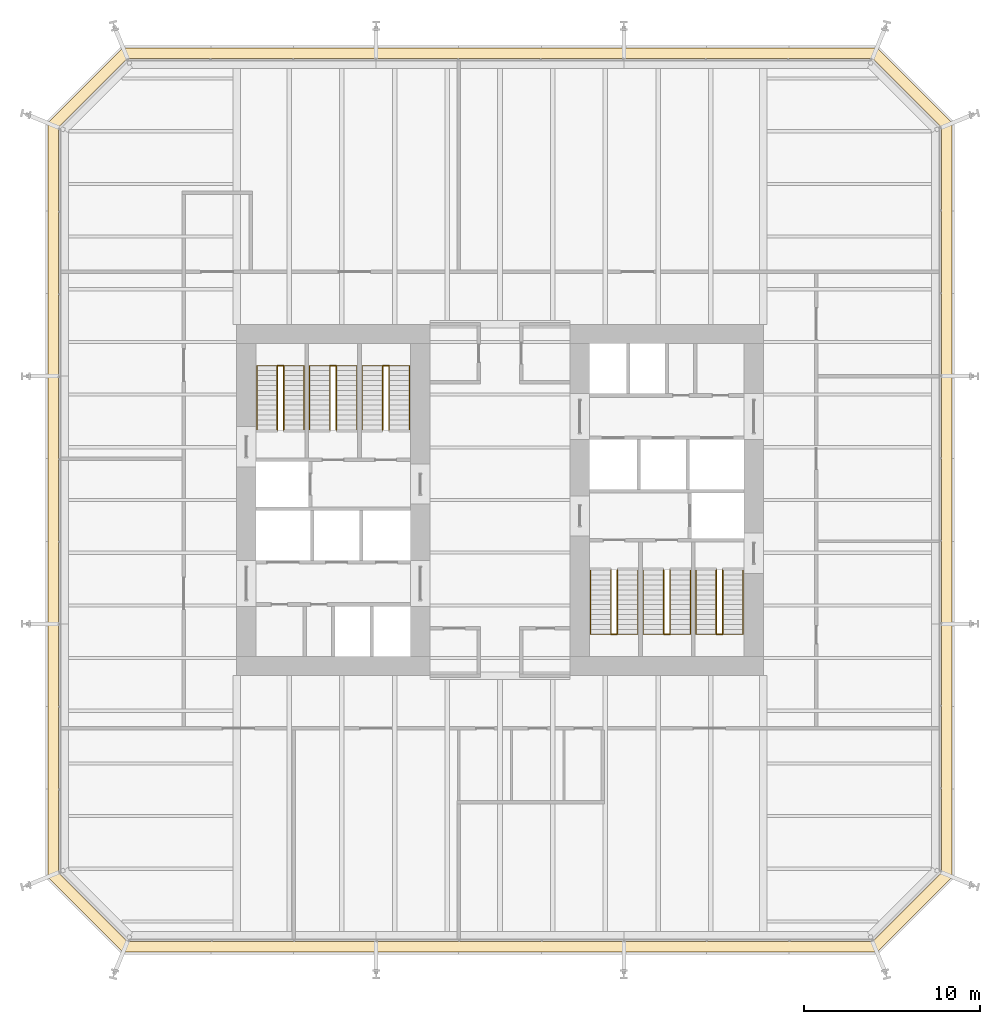
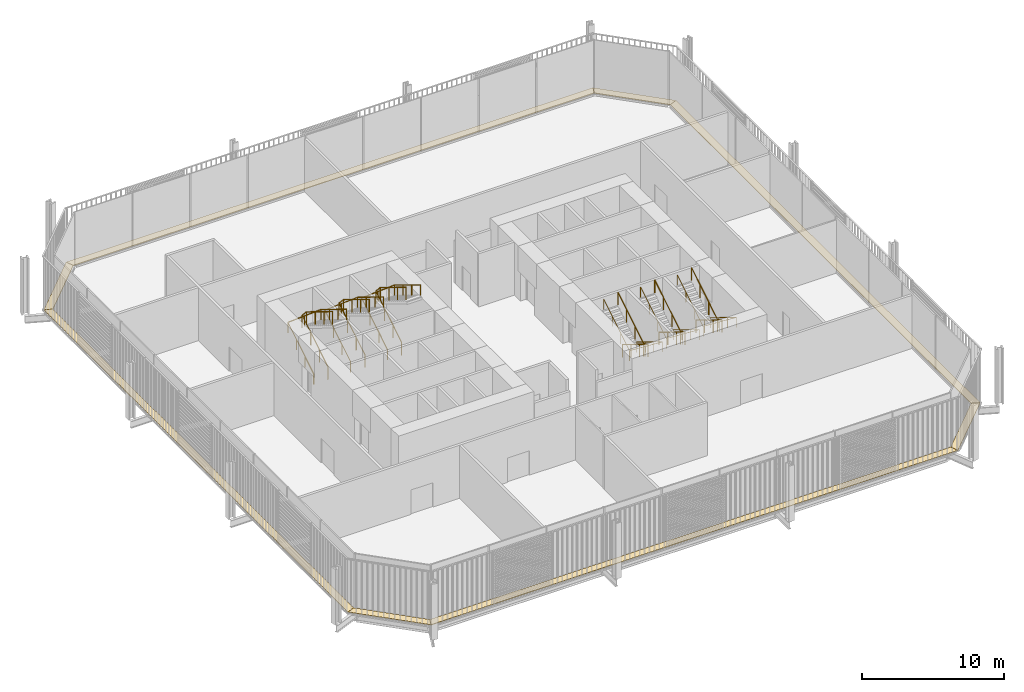
# One storey, part 22 of 22: 12 railings, 8 coverings.
"""IFC4 building model written with IfcOpenShell, lengths in metres."""

from ifc_helpers import new_model, si_unit, direction, frame, origin, origin_2d, place, context, subcontext, project, spatial, polyline, circle, outline, extrude, material, layer, layer_set, type_object, element, save


model = new_model("IFC4")

# Units and contexts
model_context = context("Model", 3, precision=1e-05, world=origin(), true_north=direction((0.0, 1.0)))
body_context = subcontext(model_context, "Body", "Model", "MODEL_VIEW")
ifc_project = project(units=[si_unit("LENGTHUNIT", "METRE"), si_unit("AREAUNIT", "SQUARE_METRE"), si_unit("VOLUMEUNIT", "CUBIC_METRE"), si_unit("PLANEANGLEUNIT", "RADIAN"), si_unit("MASSUNIT", "GRAM", prefix="KILO")], contexts=[model_context])

# Site, building, storey
site_placement = place(None, origin())
site = spatial("IfcSite", under=ifc_project, at=site_placement, CompositionType="ELEMENT")
building_placement = place(site_placement, origin())
building = spatial("IfcBuilding", under=site, at=building_placement, Name="Millrace Tower", CompositionType="ELEMENT")
storey_placement = place(building_placement, frame((0.0, 0.0, 25.699951171875)))
storey = spatial("IfcBuildingStorey", under=building, at=storey_placement, Name="L06", CompositionType="ELEMENT", Elevation=25.699951171875)

# Coverings
ifc_material_1 = material(Name="Steel ASTM A36", Category="steel")
ifc_layer = layer(ifc_material_1, 0.050048828125)
ifc_layer_set = layer_set([ifc_layer], Name="Steel ASTM A36")
covering_type = type_object("IfcCoveringType", Name="CAVITY CATWALK steel grating", PredefinedType="FLOORING", material=ifc_layer_set)
placement = place(storey_placement, frame((0.0, 0.0, 0.10009765625)))
element("IfcCovering", 1, at=placement, inside=storey, type_object=covering_type, Name="Cavity catwalk grating A-F01 L06 1", PredefinedType="FLOORING", context=body_context, shape_type="SweptSolid", body=[
    extrude(outline(polyline([(-25.75, -21.460693359375), (-21.460693359375, -25.75), (-21.212158203125, -25.14990234375), (-25.14990234375, -21.212158203125), (-25.75, -21.460693359375)])), origin(), (0.0, 0.0, 1.0), 0.050048828125),
])
element("IfcCovering", 2, at=placement, inside=storey, type_object=covering_type, Name="Cavity catwalk grating A-F02 L06 1", PredefinedType="FLOORING", context=body_context, shape_type="SweptSolid", body=[
    extrude(outline(polyline([(-21.460693359375, -25.75), (21.460693359375, -25.75), (21.212158203125, -25.14990234375), (-21.212158203125, -25.14990234375), (-21.460693359375, -25.75)])), origin(), (0.0, 0.0, 1.0), 0.050048828125),
])
element("IfcCovering", 3, at=placement, inside=storey, type_object=covering_type, Name="Cavity catwalk grating A-F03 L06 1", PredefinedType="FLOORING", context=body_context, shape_type="SweptSolid", body=[
    extrude(outline(polyline([(21.460693359375, -25.75), (25.75, -21.460693359375), (25.14990234375, -21.212158203125), (21.212158203125, -25.14990234375), (21.460693359375, -25.75)])), origin(), (0.0, 0.0, 1.0), 0.050048828125),
])
element("IfcCovering", 4, at=placement, inside=storey, type_object=covering_type, Name="Cavity catwalk grating A-F04 L06 1", PredefinedType="FLOORING", context=body_context, shape_type="SweptSolid", body=[
    extrude(outline(polyline([(25.75, -21.460693359375), (25.75, 21.460693359375), (25.14990234375, 21.212158203125), (25.14990234375, -21.212158203125), (25.75, -21.460693359375)])), origin(), (0.0, 0.0, 1.0), 0.050048828125),
])
element("IfcCovering", 5, at=placement, inside=storey, type_object=covering_type, Name="Cavity catwalk grating A-F05 L06 1", PredefinedType="FLOORING", context=body_context, shape_type="SweptSolid", body=[
    extrude(outline(polyline([(25.75, 21.460693359375), (21.460693359375, 25.75), (21.212158203125, 25.14990234375), (25.14990234375, 21.212158203125), (25.75, 21.460693359375)])), origin(), (0.0, 0.0, 1.0), 0.050048828125),
])
element("IfcCovering", 6, at=placement, inside=storey, type_object=covering_type, Name="Cavity catwalk grating A-F06 L06 1", PredefinedType="FLOORING", context=body_context, shape_type="SweptSolid", body=[
    extrude(outline(polyline([(21.460693359375, 25.75), (-21.460693359375, 25.75), (-21.212158203125, 25.14990234375), (21.212158203125, 25.14990234375), (21.460693359375, 25.75)])), origin(), (0.0, 0.0, 1.0), 0.050048828125),
])
element("IfcCovering", 7, at=placement, inside=storey, type_object=covering_type, Name="Cavity catwalk grating A-F07 L06 1", PredefinedType="FLOORING", context=body_context, shape_type="SweptSolid", body=[
    extrude(outline(polyline([(-21.460693359375, 25.75), (-25.75, 21.460693359375), (-25.14990234375, 21.212158203125), (-21.212158203125, 25.14990234375), (-21.460693359375, 25.75)])), origin(), (0.0, 0.0, 1.0), 0.050048828125),
])
element("IfcCovering", 8, at=placement, inside=storey, type_object=covering_type, Name="Cavity catwalk grating A-F08 L06 1", PredefinedType="FLOORING", context=body_context, shape_type="SweptSolid", body=[
    extrude(outline(polyline([(-25.75, 21.460693359375), (-25.75, -21.460693359375), (-25.14990234375, -21.212158203125), (-25.14990234375, 21.212158203125), (-25.75, 21.460693359375)])), origin(), (0.0, 0.0, 1.0), 0.050048828125),
])

# Railings
ifc_material_2 = material(Name="Stainless steel ASTM A240 type 316", Category="steel")
railing_type_1 = type_object("IfcRailingType", Name="Stair guard 1100", PredefinedType="GUARDRAIL", material=ifc_material_2)
for number, where, name in (
    (9, (-12.679931640625, 4.0, 0.17138671875), "Stair guard 1 W L06"),
    (10, (-9.679931640625, 4.0, 0.17138671875), "Stair guard 2 W L06"),
    (11, (-6.679931640625, 4.0, 0.17138671875), "Stair guard 3 W L06"),
):
    element("IfcRailing", number, at=place(storey_placement, frame(where)), inside=storey, type_object=railing_type_1, Name=name, PredefinedType="GUARDRAIL", context=body_context, shape_type="SweptSolid", body=[
        extrude(circle(Radius=0.02392578125, at=origin_2d()), frame((0.0, 0.0, 1.076171875), z_axis=(0.0, 0.852824790078, 0.522197163366), x_axis=(-1.0, 0.0, 0.0)), (0.0, 0.0, 1.0), 4.26806640625),
        extrude(circle(Radius=0.02392578125, at=origin_2d()), frame((0.0, 3.639892578125, 3.3046875), z_axis=(0.902837873996, 0.0, 0.429981131306), x_axis=(0.0, 1.0, 0.0)), (0.0, 0.0, 1.0), 0.398681640625),
        extrude(circle(Radius=0.02392578125, at=origin_2d()), frame((0.35986328125, 3.639892578125, 3.47607421875), z_axis=(0.0, -0.852850264322, 0.5221555579), x_axis=(1.0, 0.0, 0.0)), (0.0, 0.0, 1.0), 4.267822265625),
        extrude(circle(Radius=0.02099609375, at=origin_2d()), origin(), (0.0, 0.0, 1.0), 1.052001953125),
        extrude(circle(Radius=0.02099609375, at=origin_2d()), frame((0.0, 1.21337890625, 0.742919921875)), (0.0, 0.0, 1.0), 1.052001953125),
        extrude(circle(Radius=0.02099609375, at=origin_2d()), frame((0.0, 2.426513671875, 1.48583984375)), (0.0, 0.0, 1.0), 1.052001953125),
        extrude(circle(Radius=0.02099609375, at=origin_2d()), frame((0.0, 3.639892578125, 2.228759765625)), (0.0, 0.0, 1.0), 1.052001953125),
        extrude(circle(Radius=0.02099609375, at=origin_2d()), frame((0.35986328125, 3.639892578125, 2.400146484375)), (0.0, 0.0, 1.0), 1.052001953125),
        extrude(circle(Radius=0.02099609375, at=origin_2d()), frame((0.35986328125, 2.426513671875, 3.14306640625)), (0.0, 0.0, 1.0), 1.052001953125),
        extrude(circle(Radius=0.02099609375, at=origin_2d()), frame((0.35986328125, 1.21337890625, 3.8857421875)), (0.0, 0.0, 1.0), 1.052001953125),
        extrude(circle(Radius=0.02099609375, at=origin_2d()), frame((0.35986328125, 0.0, 4.628662109375)), (0.0, 0.0, 1.0), 1.052001953125),
    ])
for number, where, name in (
    (12, (12.679931640625, -4.0, 0.17138671875), "Stair guard 1 E L06"),
    (13, (9.679931640625, -4.0, 0.17138671875), "Stair guard 2 E L06"),
    (14, (6.679931640625, -4.0, 0.17138671875), "Stair guard 3 E L06"),
):
    element("IfcRailing", number, at=place(storey_placement, frame(where)), inside=storey, type_object=railing_type_1, Name=name, PredefinedType="GUARDRAIL", context=body_context, shape_type="SweptSolid", body=[
        extrude(circle(Radius=0.02392578125, at=origin_2d()), frame((0.0, 0.0, 1.076171875), z_axis=(0.0, -0.852824790078, 0.522197163366), x_axis=(1.0, 0.0, 0.0)), (0.0, 0.0, 1.0), 4.26806640625),
        extrude(circle(Radius=0.02392578125, at=origin_2d()), frame((0.0, -3.639892578125, 3.3046875), z_axis=(-0.902837873996, 0.0, 0.429981131306), x_axis=(0.0, -1.0, 0.0)), (0.0, 0.0, 1.0), 0.398681640625),
        extrude(circle(Radius=0.02392578125, at=origin_2d()), frame((-0.35986328125, -3.639892578125, 3.47607421875), z_axis=(0.0, 0.852850264322, 0.5221555579), x_axis=(-1.0, 0.0, 0.0)), (0.0, 0.0, 1.0), 4.267822265625),
        extrude(circle(Radius=0.02099609375, at=origin_2d()), origin(), (0.0, 0.0, 1.0), 1.052001953125),
        extrude(circle(Radius=0.02099609375, at=origin_2d()), frame((0.0, -1.21337890625, 0.742919921875)), (0.0, 0.0, 1.0), 1.052001953125),
        extrude(circle(Radius=0.02099609375, at=origin_2d()), frame((0.0, -2.426513671875, 1.48583984375)), (0.0, 0.0, 1.0), 1.052001953125),
        extrude(circle(Radius=0.02099609375, at=origin_2d()), frame((0.0, -3.639892578125, 2.228759765625)), (0.0, 0.0, 1.0), 1.052001953125),
        extrude(circle(Radius=0.02099609375, at=origin_2d()), frame((-0.35986328125, -3.639892578125, 2.400146484375)), (0.0, 0.0, 1.0), 1.052001953125),
        extrude(circle(Radius=0.02099609375, at=origin_2d()), frame((-0.35986328125, -2.426513671875, 3.14306640625)), (0.0, 0.0, 1.0), 1.052001953125),
        extrude(circle(Radius=0.02099609375, at=origin_2d()), frame((-0.35986328125, -1.21337890625, 3.8857421875)), (0.0, 0.0, 1.0), 1.052001953125),
        extrude(circle(Radius=0.02099609375, at=origin_2d()), frame((-0.35986328125, 0.0, 4.628662109375)), (0.0, 0.0, 1.0), 1.052001953125),
    ])
ifc_material_3 = material(Name="Stainless steel ASTM A240 type 316", Category="steel")
railing_type_2 = type_object("IfcRailingType", Name="Stair handrail 900", PredefinedType="HANDRAIL", material=ifc_material_3)
railing_1_placement = place(storey_placement, frame((-13.840087890625, 4.0, 0.17138671875)))
element("IfcRailing", 15, at=railing_1_placement, inside=storey, type_object=railing_type_2, Name="Stair handrail 1 W L06", PredefinedType="HANDRAIL", context=body_context, shape_type="SweptSolid", body=[
    extrude(circle(Radius=0.02392578125, at=origin_2d()), frame((0.0, 0.0, 0.8759765625), z_axis=(0.0, 0.852824790078, 0.522197163366), x_axis=(-1.0, 0.0, 0.0)), (0.0, 0.0, 1.0), 4.26806640625),
    extrude(circle(Radius=0.02392578125, at=origin_2d()), frame((0.0, 3.639892578125, 3.1044921875), z_axis=(0.9979616988, 0.0, 0.063815732607), x_axis=(0.0, 1.0, 0.0)), (0.0, 0.0, 1.0), 2.685546875),
    extrude(circle(Radius=0.02392578125, at=origin_2d()), frame((2.68017578125, 3.639892578125, 3.27587890625), z_axis=(0.0, -0.852850264322, 0.5221555579), x_axis=(1.0, 0.0, 0.0)), (0.0, 0.0, 1.0), 4.267822265625),
    extrude(circle(Radius=0.02099609375, at=origin_2d()), origin(), (0.0, 0.0, 1.0), 0.851806640625),
    extrude(circle(Radius=0.02099609375, at=origin_2d()), frame((0.0, 1.21337890625, 0.742919921875)), (0.0, 0.0, 1.0), 0.851806640625),
    extrude(circle(Radius=0.02099609375, at=origin_2d()), frame((0.0, 2.426513671875, 1.48583984375)), (0.0, 0.0, 1.0), 0.851806640625),
    extrude(circle(Radius=0.02099609375, at=origin_2d()), frame((0.0, 3.639892578125, 2.228759765625)), (0.0, 0.0, 1.0), 0.851806640625),
    extrude(circle(Radius=0.02099609375, at=origin_2d()), frame((1.340087890625, 3.639892578125, 2.314453125)), (0.0, 0.0, 1.0), 0.851806640625),
    extrude(circle(Radius=0.02099609375, at=origin_2d()), frame((2.68017578125, 3.639892578125, 2.400146484375)), (0.0, 0.0, 1.0), 0.851806640625),
    extrude(circle(Radius=0.02099609375, at=origin_2d()), frame((2.68017578125, 2.426513671875, 3.14306640625)), (0.0, 0.0, 1.0), 0.851806640625),
    extrude(circle(Radius=0.02099609375, at=origin_2d()), frame((2.68017578125, 1.21337890625, 3.8857421875)), (0.0, 0.0, 1.0), 0.851806640625),
    extrude(circle(Radius=0.02099609375, at=origin_2d()), frame((2.68017578125, 0.0, 4.628662109375)), (0.0, 0.0, 1.0), 0.851806640625),
])
railing_2_placement = place(storey_placement, frame((-10.840087890625, 4.0, 0.17138671875)))
element("IfcRailing", 16, at=railing_2_placement, inside=storey, type_object=railing_type_2, Name="Stair handrail 2 W L06", PredefinedType="HANDRAIL", context=body_context, shape_type="SweptSolid", body=[
    extrude(circle(Radius=0.02392578125, at=origin_2d()), frame((0.0, 0.0, 0.8759765625), z_axis=(0.0, 0.852824790078, 0.522197163366), x_axis=(-1.0, 0.0, 0.0)), (0.0, 0.0, 1.0), 4.26806640625),
    extrude(circle(Radius=0.02392578125, at=origin_2d()), frame((0.0, 3.639892578125, 3.1044921875), z_axis=(0.9979616988, 0.0, 0.063815732607), x_axis=(0.0, 1.0, 0.0)), (0.0, 0.0, 1.0), 2.685546875),
    extrude(circle(Radius=0.02392578125, at=origin_2d()), frame((2.68017578125, 3.639892578125, 3.27587890625), z_axis=(0.0, -0.852850264322, 0.5221555579), x_axis=(1.0, 0.0, 0.0)), (0.0, 0.0, 1.0), 4.267822265625),
    extrude(circle(Radius=0.02099609375, at=origin_2d()), origin(), (0.0, 0.0, 1.0), 0.851806640625),
    extrude(circle(Radius=0.02099609375, at=origin_2d()), frame((0.0, 1.21337890625, 0.742919921875)), (0.0, 0.0, 1.0), 0.851806640625),
    extrude(circle(Radius=0.02099609375, at=origin_2d()), frame((0.0, 2.426513671875, 1.48583984375)), (0.0, 0.0, 1.0), 0.851806640625),
    extrude(circle(Radius=0.02099609375, at=origin_2d()), frame((0.0, 3.639892578125, 2.228759765625)), (0.0, 0.0, 1.0), 0.851806640625),
    extrude(circle(Radius=0.02099609375, at=origin_2d()), frame((1.340087890625, 3.639892578125, 2.314453125)), (0.0, 0.0, 1.0), 0.851806640625),
    extrude(circle(Radius=0.02099609375, at=origin_2d()), frame((2.68017578125, 3.639892578125, 2.400146484375)), (0.0, 0.0, 1.0), 0.851806640625),
    extrude(circle(Radius=0.02099609375, at=origin_2d()), frame((2.68017578125, 2.426513671875, 3.14306640625)), (0.0, 0.0, 1.0), 0.851806640625),
    extrude(circle(Radius=0.02099609375, at=origin_2d()), frame((2.68017578125, 1.21337890625, 3.8857421875)), (0.0, 0.0, 1.0), 0.851806640625),
    extrude(circle(Radius=0.02099609375, at=origin_2d()), frame((2.68017578125, 0.0, 4.628662109375)), (0.0, 0.0, 1.0), 0.851806640625),
])
railing_3_placement = place(storey_placement, frame((-7.840087890625, 4.0, 0.17138671875)))
element("IfcRailing", 17, at=railing_3_placement, inside=storey, type_object=railing_type_2, Name="Stair handrail 3 W L06", PredefinedType="HANDRAIL", context=body_context, shape_type="SweptSolid", body=[
    extrude(circle(Radius=0.02392578125, at=origin_2d()), frame((0.0, 0.0, 0.8759765625), z_axis=(0.0, 0.852824790078, 0.522197163366), x_axis=(-1.0, 0.0, 0.0)), (0.0, 0.0, 1.0), 4.26806640625),
    extrude(circle(Radius=0.02392578125, at=origin_2d()), frame((0.0, 3.639892578125, 3.1044921875), z_axis=(0.9979616988, 0.0, 0.063815732607), x_axis=(0.0, 1.0, 0.0)), (0.0, 0.0, 1.0), 2.685546875),
    extrude(circle(Radius=0.02392578125, at=origin_2d()), frame((2.68017578125, 3.639892578125, 3.27587890625), z_axis=(0.0, -0.852850264322, 0.5221555579), x_axis=(1.0, 0.0, 0.0)), (0.0, 0.0, 1.0), 4.267822265625),
    extrude(circle(Radius=0.02099609375, at=origin_2d()), origin(), (0.0, 0.0, 1.0), 0.851806640625),
    extrude(circle(Radius=0.02099609375, at=origin_2d()), frame((0.0, 1.21337890625, 0.742919921875)), (0.0, 0.0, 1.0), 0.851806640625),
    extrude(circle(Radius=0.02099609375, at=origin_2d()), frame((0.0, 2.426513671875, 1.48583984375)), (0.0, 0.0, 1.0), 0.851806640625),
    extrude(circle(Radius=0.02099609375, at=origin_2d()), frame((0.0, 3.639892578125, 2.228759765625)), (0.0, 0.0, 1.0), 0.851806640625),
    extrude(circle(Radius=0.02099609375, at=origin_2d()), frame((1.340087890625, 3.639892578125, 2.314453125)), (0.0, 0.0, 1.0), 0.851806640625),
    extrude(circle(Radius=0.02099609375, at=origin_2d()), frame((2.68017578125, 3.639892578125, 2.400146484375)), (0.0, 0.0, 1.0), 0.851806640625),
    extrude(circle(Radius=0.02099609375, at=origin_2d()), frame((2.68017578125, 2.426513671875, 3.14306640625)), (0.0, 0.0, 1.0), 0.851806640625),
    extrude(circle(Radius=0.02099609375, at=origin_2d()), frame((2.68017578125, 1.21337890625, 3.8857421875)), (0.0, 0.0, 1.0), 0.851806640625),
    extrude(circle(Radius=0.02099609375, at=origin_2d()), frame((2.68017578125, 0.0, 4.628662109375)), (0.0, 0.0, 1.0), 0.851806640625),
])
railing_4_placement = place(storey_placement, frame((13.840087890625, -4.0, 0.17138671875)))
element("IfcRailing", 18, at=railing_4_placement, inside=storey, type_object=railing_type_2, Name="Stair handrail 1 E L06", PredefinedType="HANDRAIL", context=body_context, shape_type="SweptSolid", body=[
    extrude(circle(Radius=0.02392578125, at=origin_2d()), frame((0.0, 0.0, 0.8759765625), z_axis=(0.0, -0.852824790078, 0.522197163366), x_axis=(1.0, 0.0, 0.0)), (0.0, 0.0, 1.0), 4.26806640625),
    extrude(circle(Radius=0.02392578125, at=origin_2d()), frame((0.0, -3.639892578125, 3.1044921875), z_axis=(-0.9979616988, 0.0, 0.063815732607), x_axis=(0.0, -1.0, 0.0)), (0.0, 0.0, 1.0), 2.685546875),
    extrude(circle(Radius=0.02392578125, at=origin_2d()), frame((-2.68017578125, -3.639892578125, 3.27587890625), z_axis=(0.0, 0.852850264322, 0.5221555579), x_axis=(-1.0, 0.0, 0.0)), (0.0, 0.0, 1.0), 4.267822265625),
    extrude(circle(Radius=0.02099609375, at=origin_2d()), origin(), (0.0, 0.0, 1.0), 0.851806640625),
    extrude(circle(Radius=0.02099609375, at=origin_2d()), frame((0.0, -1.21337890625, 0.742919921875)), (0.0, 0.0, 1.0), 0.851806640625),
    extrude(circle(Radius=0.02099609375, at=origin_2d()), frame((0.0, -2.426513671875, 1.48583984375)), (0.0, 0.0, 1.0), 0.851806640625),
    extrude(circle(Radius=0.02099609375, at=origin_2d()), frame((0.0, -3.639892578125, 2.228759765625)), (0.0, 0.0, 1.0), 0.851806640625),
    extrude(circle(Radius=0.02099609375, at=origin_2d()), frame((-1.340087890625, -3.639892578125, 2.314453125)), (0.0, 0.0, 1.0), 0.851806640625),
    extrude(circle(Radius=0.02099609375, at=origin_2d()), frame((-2.68017578125, -3.639892578125, 2.400146484375)), (0.0, 0.0, 1.0), 0.851806640625),
    extrude(circle(Radius=0.02099609375, at=origin_2d()), frame((-2.68017578125, -2.426513671875, 3.14306640625)), (0.0, 0.0, 1.0), 0.851806640625),
    extrude(circle(Radius=0.02099609375, at=origin_2d()), frame((-2.68017578125, -1.21337890625, 3.8857421875)), (0.0, 0.0, 1.0), 0.851806640625),
    extrude(circle(Radius=0.02099609375, at=origin_2d()), frame((-2.68017578125, 0.0, 4.628662109375)), (0.0, 0.0, 1.0), 0.851806640625),
])
railing_5_placement = place(storey_placement, frame((10.840087890625, -4.0, 0.17138671875)))
element("IfcRailing", 19, at=railing_5_placement, inside=storey, type_object=railing_type_2, Name="Stair handrail 2 E L06", PredefinedType="HANDRAIL", context=body_context, shape_type="SweptSolid", body=[
    extrude(circle(Radius=0.02392578125, at=origin_2d()), frame((0.0, 0.0, 0.8759765625), z_axis=(0.0, -0.852824790078, 0.522197163366), x_axis=(1.0, 0.0, 0.0)), (0.0, 0.0, 1.0), 4.26806640625),
    extrude(circle(Radius=0.02392578125, at=origin_2d()), frame((0.0, -3.639892578125, 3.1044921875), z_axis=(-0.9979616988, 0.0, 0.063815732607), x_axis=(0.0, -1.0, 0.0)), (0.0, 0.0, 1.0), 2.685546875),
    extrude(circle(Radius=0.02392578125, at=origin_2d()), frame((-2.68017578125, -3.639892578125, 3.27587890625), z_axis=(0.0, 0.852850264322, 0.5221555579), x_axis=(-1.0, 0.0, 0.0)), (0.0, 0.0, 1.0), 4.267822265625),
    extrude(circle(Radius=0.02099609375, at=origin_2d()), origin(), (0.0, 0.0, 1.0), 0.851806640625),
    extrude(circle(Radius=0.02099609375, at=origin_2d()), frame((0.0, -1.21337890625, 0.742919921875)), (0.0, 0.0, 1.0), 0.851806640625),
    extrude(circle(Radius=0.02099609375, at=origin_2d()), frame((0.0, -2.426513671875, 1.48583984375)), (0.0, 0.0, 1.0), 0.851806640625),
    extrude(circle(Radius=0.02099609375, at=origin_2d()), frame((0.0, -3.639892578125, 2.228759765625)), (0.0, 0.0, 1.0), 0.851806640625),
    extrude(circle(Radius=0.02099609375, at=origin_2d()), frame((-1.340087890625, -3.639892578125, 2.314453125)), (0.0, 0.0, 1.0), 0.851806640625),
    extrude(circle(Radius=0.02099609375, at=origin_2d()), frame((-2.68017578125, -3.639892578125, 2.400146484375)), (0.0, 0.0, 1.0), 0.851806640625),
    extrude(circle(Radius=0.02099609375, at=origin_2d()), frame((-2.68017578125, -2.426513671875, 3.14306640625)), (0.0, 0.0, 1.0), 0.851806640625),
    extrude(circle(Radius=0.02099609375, at=origin_2d()), frame((-2.68017578125, -1.21337890625, 3.8857421875)), (0.0, 0.0, 1.0), 0.851806640625),
    extrude(circle(Radius=0.02099609375, at=origin_2d()), frame((-2.68017578125, 0.0, 4.628662109375)), (0.0, 0.0, 1.0), 0.851806640625),
])
railing_6_placement = place(storey_placement, frame((7.840087890625, -4.0, 0.17138671875)))
element("IfcRailing", 20, at=railing_6_placement, inside=storey, type_object=railing_type_2, Name="Stair handrail 3 E L06", PredefinedType="HANDRAIL", context=body_context, shape_type="SweptSolid", body=[
    extrude(circle(Radius=0.02392578125, at=origin_2d()), frame((0.0, 0.0, 0.8759765625), z_axis=(0.0, -0.852824790078, 0.522197163366), x_axis=(1.0, 0.0, 0.0)), (0.0, 0.0, 1.0), 4.26806640625),
    extrude(circle(Radius=0.02392578125, at=origin_2d()), frame((0.0, -3.639892578125, 3.1044921875), z_axis=(-0.9979616988, 0.0, 0.063815732607), x_axis=(0.0, -1.0, 0.0)), (0.0, 0.0, 1.0), 2.685546875),
    extrude(circle(Radius=0.02392578125, at=origin_2d()), frame((-2.68017578125, -3.639892578125, 3.27587890625), z_axis=(0.0, 0.852850264322, 0.5221555579), x_axis=(-1.0, 0.0, 0.0)), (0.0, 0.0, 1.0), 4.267822265625),
    extrude(circle(Radius=0.02099609375, at=origin_2d()), origin(), (0.0, 0.0, 1.0), 0.851806640625),
    extrude(circle(Radius=0.02099609375, at=origin_2d()), frame((0.0, -1.21337890625, 0.742919921875)), (0.0, 0.0, 1.0), 0.851806640625),
    extrude(circle(Radius=0.02099609375, at=origin_2d()), frame((0.0, -2.426513671875, 1.48583984375)), (0.0, 0.0, 1.0), 0.851806640625),
    extrude(circle(Radius=0.02099609375, at=origin_2d()), frame((0.0, -3.639892578125, 2.228759765625)), (0.0, 0.0, 1.0), 0.851806640625),
    extrude(circle(Radius=0.02099609375, at=origin_2d()), frame((-1.340087890625, -3.639892578125, 2.314453125)), (0.0, 0.0, 1.0), 0.851806640625),
    extrude(circle(Radius=0.02099609375, at=origin_2d()), frame((-2.68017578125, -3.639892578125, 2.400146484375)), (0.0, 0.0, 1.0), 0.851806640625),
    extrude(circle(Radius=0.02099609375, at=origin_2d()), frame((-2.68017578125, -2.426513671875, 3.14306640625)), (0.0, 0.0, 1.0), 0.851806640625),
    extrude(circle(Radius=0.02099609375, at=origin_2d()), frame((-2.68017578125, -1.21337890625, 3.8857421875)), (0.0, 0.0, 1.0), 0.851806640625),
    extrude(circle(Radius=0.02099609375, at=origin_2d()), frame((-2.68017578125, 0.0, 4.628662109375)), (0.0, 0.0, 1.0), 0.851806640625),
])

save(model, "model.ifc")
